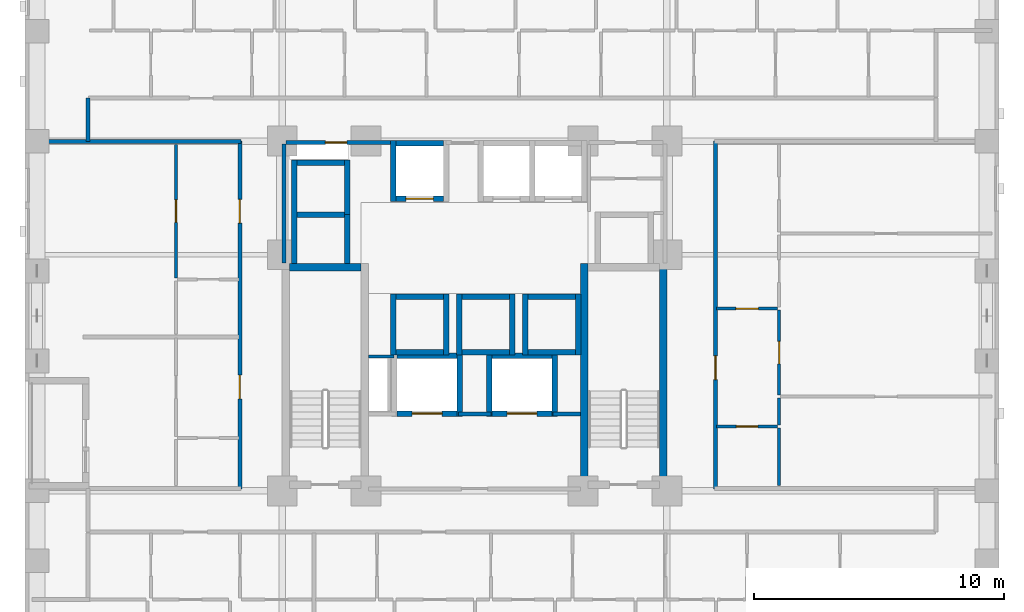
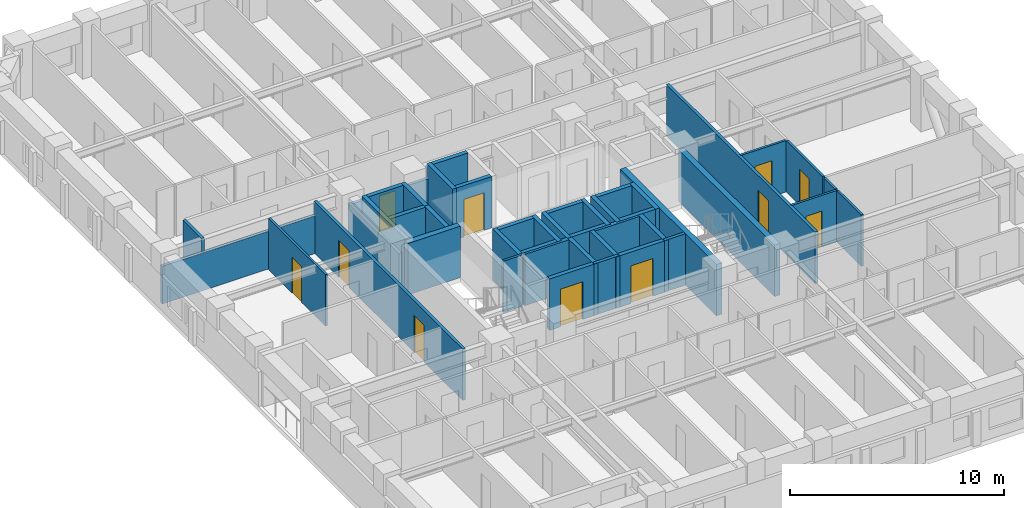
# One storey, part 5 of 14: 45 walls, 11 doors, 11 openings.
"""IFC4 building model written with IfcOpenShell, lengths in metres."""

from ifc_helpers import new_model, si_unit, derived_unit, direction, frame, frame_2d, origin, place, context, subcontext, project, spatial, rectangle, extrude, material, layer, layer_set, type_object, element, fill, save


model = new_model("IFC4")

# Units and contexts
model_context = context("Model", 3, precision=1e-05, world=origin(), true_north=direction((0.0, 1.0)))
body_context = subcontext(model_context, "Body", "Model", "MODEL_VIEW")
ifc_project = project(units=[si_unit("LENGTHUNIT", "METRE"), si_unit("AREAUNIT", "SQUARE_METRE"), si_unit("VOLUMEUNIT", "CUBIC_METRE"), si_unit("PLANEANGLEUNIT", "RADIAN"), si_unit("MASSUNIT", "GRAM", prefix="KILO"), derived_unit("THERMALTRANSMITTANCEUNIT", [(si_unit("MASSUNIT", "GRAM", prefix="KILO"), 1), (si_unit("TIMEUNIT", "SECOND"), -3), (si_unit("THERMODYNAMICTEMPERATUREUNIT", "KELVIN"), -1)])], contexts=[model_context])

# Site, building, storey
site_placement = place(None, origin())
site = spatial("IfcSite", under=ifc_project, at=site_placement, CompositionType="ELEMENT")
building_placement = place(site_placement, origin())
building = spatial("IfcBuilding", under=site, at=building_placement, Name="Korrvale Station Residences", CompositionType="ELEMENT")
storey_placement = place(building_placement, frame((0.0, 0.0, 38.60009765625)))
storey = spatial("IfcBuildingStorey", under=building, at=storey_placement, Name="L09", CompositionType="ELEMENT", Elevation=38.60009765625)

# Walls
ifc_material_1 = material(Name="Concrete C70/85", Category="concrete")
ifc_layer_1 = layer(ifc_material_1, 0.300048828125, Name="Concrete C70/85")
ifc_layer_set_1 = layer_set([ifc_layer_1], Name="Concrete C70/85")
wall_type_1 = type_object("IfcWallType", Name="WAL-CORE-300-C70", PredefinedType="SHEAR", material=ifc_layer_set_1)
wall_1_placement = place(storey_placement, frame((18.10009765625, 23.949951171875, 0.0), z_axis=(0.0, 0.0, 1.0), x_axis=(1.0, 0.0, 0.0)))
element("IfcWall", 1, at=wall_1_placement, inside=storey, type_object=wall_type_1, Name="L09 ST-1 Core Shear Wall North", PredefinedType="SHEAR", context=body_context, shape_type="SweptSolid", body=[
    extrude(rectangle(XDim=2.849853515625, YDim=0.300048828125, at=frame_2d((1.4248046875, 0.0))), origin(), (0.0, 0.0, 1.0), 2.93994140625),
])
for number, where, z_axis, x_axis, name in (
    (2, (29.89990234375, 15.10009765625, 0.0), (0.0, 0.0, 1.0), (0.0, 1.0, 0.0), "L09 ST-2 Core Shear Wall West"),
    (3, (33.050048828125, 15.10009765625, 0.0), (0.0, 0.0, 1.0), (0.0, 1.0, 0.0), "L09 ST-2 Core Shear Wall East"),
):
    element("IfcWall", number, at=place(storey_placement, frame(where, z_axis=z_axis, x_axis=x_axis)), inside=storey, type_object=wall_type_1, Name=name, PredefinedType="SHEAR", context=body_context, shape_type="SweptSolid", body=[
        extrude(rectangle(XDim=9.0, YDim=0.300048828125, at=frame_2d((4.5, 0.0))), origin(), (0.0, 0.0, 1.0), 2.93994140625),
    ])
ifc_material_2 = material(Name="Acoustic steel-stud gypsum board partition", Category="steel")
ifc_layer_2 = layer(ifc_material_2, 0.1201171875, Name="Acoustic steel-stud gypsum board partition")
ifc_layer_set_2 = layer_set([ifc_layer_2], Name="Acoustic steel-stud gypsum board partition")
wall_type_2 = type_object("IfcWallType", Name="WAL-PART-125", PredefinedType="PARTITIONING", material=ifc_layer_set_2)
wall_2_placement = place(storey_placement, frame((22.280029296875, 20.3798828125, 0.0), z_axis=(0.0, 0.0, 1.0), x_axis=(-1.0, 0.0, 0.0)))
element("IfcWall", 4, at=wall_2_placement, inside=storey, type_object=wall_type_2, Name="L09 Core Partition CW-RSWT-N", PredefinedType="PARTITIONING", context=body_context, shape_type="SweptSolid", body=[
    extrude(rectangle(XDim=1.02001953125, YDim=0.1201171875, at=frame_2d((0.510009765625, 0.0))), origin(), (0.0, 0.0, 1.0), 2.93994140625),
])

# Wall, opening, door
wall_3_placement = place(storey_placement, frame((13.550048828125, 23.527099609375, 0.0), z_axis=(0.0, 0.0, 1.0), x_axis=(0.0, 1.0, 0.0)))
wall_3 = element("IfcWall", 5, at=wall_3_placement, inside=storey, type_object=wall_type_2, Name="L09 Suite Partition U05-V12", PredefinedType="PARTITIONING", context=body_context, shape_type="SweptSolid", body=[
    extrude(rectangle(XDim=5.3330078125, YDim=0.1201171875, at=frame_2d((2.66650390625, 0.0))), origin(), (0.0, 0.0, 1.0), 2.93994140625),
])
opening_1_placement = place(wall_3_placement, frame((2.216064453125, 0.0, 0.0)))
opening_1 = element("IfcOpeningElement", 6, at=opening_1_placement, cuts=wall_3, Name="Opening DI-900", PredefinedType="OPENING", context=body_context, shape_type="SweptSolid", body=[
    extrude(rectangle(XDim=0.89990234375, YDim=2.050048828125, at=frame_2d((0.449951171875, 1.02490234375))), frame((0.0, 0.070068359375, 0.0), z_axis=(0.0, -1.0, 0.0), x_axis=(1.0, 0.0, 0.0)), (0.0, 0.0, 1.0), 0.14013671875),
])
ifc_material_3 = material(Name="Painted solid-core timber interior room door", Category="wood")
door_type_1 = type_object("IfcDoorType", Name="DR-INT-900", OperationType="NOTDEFINED", PredefinedType="DOOR", material=ifc_material_3)
door_1_placement = place(opening_1_placement, origin())
door_1 = element("IfcDoor", 7, at=door_1_placement, inside=storey, type_object=door_type_1, Name="L09 Studio Apartment L09-U05 Kitchen Door", OperationType="SINGLE_SWING_LEFT", OverallHeight=2.050048828125, OverallWidth=0.89990234375, PredefinedType="DOOR", context=body_context, shape_type="SweptSolid", body=[
    extrude(rectangle(XDim=0.89990234375, YDim=2.050048828125, at=frame_2d((0.449951171875, 1.02490234375))), frame((0.0, 0.02490234375, 0.0), z_axis=(0.0, -1.0, 0.0), x_axis=(1.0, 0.0, 0.0)), (0.0, 0.0, 1.0), 0.050048828125),
])
fill(opening_1, door_1)

wall_4_placement = place(storey_placement, frame((35.18994140625, 22.2900390625, 0.0), z_axis=(0.0, 0.0, 1.0), x_axis=(1.0, 0.0, 0.0)))
wall_4 = element("IfcWall", 8, at=wall_4_placement, inside=storey, type_object=wall_type_2, Name="L09 Suite Partition U06-H02", PredefinedType="PARTITIONING", context=body_context, shape_type="SweptSolid", body=[
    extrude(rectangle(XDim=2.449951171875, YDim=0.1201171875, at=frame_2d((1.22509765625, 0.0))), origin(), (0.0, 0.0, 1.0), 2.93994140625),
])
opening_2_placement = place(wall_4_placement, frame((0.77490234375, 0.0, 0.0)))
opening_2 = element("IfcOpeningElement", 9, at=opening_2_placement, cuts=wall_4, Name="Opening DI-900", PredefinedType="OPENING", context=body_context, shape_type="SweptSolid", body=[
    extrude(rectangle(XDim=0.89990234375, YDim=2.050048828125, at=frame_2d((0.449951171875, 1.02490234375))), frame((0.0, 0.070068359375, 0.0), z_axis=(0.0, -1.0, 0.0), x_axis=(1.0, 0.0, 0.0)), (0.0, 0.0, 1.0), 0.14013671875),
])
door_2_placement = place(opening_2_placement, origin())
door_2 = element("IfcDoor", 10, at=door_2_placement, inside=storey, type_object=door_type_1, Name="L09 Apartment 2BR L09-U06 Wardrobe Storage Room Door", OperationType="SINGLE_SWING_RIGHT", OverallHeight=2.050048828125, OverallWidth=0.89990234375, PredefinedType="DOOR", context=body_context, shape_type="SweptSolid", body=[
    extrude(rectangle(XDim=0.89990234375, YDim=2.050048828125, at=frame_2d((0.449951171875, 1.02490234375))), frame((0.0, 0.02490234375, 0.0), z_axis=(0.0, -1.0, 0.0), x_axis=(1.0, 0.0, 0.0)), (0.0, 0.0, 1.0), 0.050048828125),
])
fill(opening_2, door_2)

wall_5_placement = place(storey_placement, frame((35.18994140625, 17.570068359375, 0.0), z_axis=(0.0, 0.0, 1.0), x_axis=(1.0, 0.0, 0.0)))
wall_5 = element("IfcWall", 11, at=wall_5_placement, inside=storey, type_object=wall_type_2, Name="L09 Suite Partition U06-H12", PredefinedType="PARTITIONING", context=body_context, shape_type="SweptSolid", body=[
    extrude(rectangle(XDim=2.449951171875, YDim=0.1201171875, at=frame_2d((1.22509765625, 0.0))), origin(), (0.0, 0.0, 1.0), 2.93994140625),
])
opening_3_placement = place(wall_5_placement, frame((0.794921875, 0.0, 0.0)))
opening_3 = element("IfcOpeningElement", 12, at=opening_3_placement, cuts=wall_5, Name="Opening DB-860", PredefinedType="OPENING", context=body_context, shape_type="SweptSolid", body=[
    extrude(rectangle(XDim=0.860107421875, YDim=2.050048828125, at=frame_2d((0.43017578125, 1.02490234375))), frame((0.0, 0.070068359375, 0.0), z_axis=(0.0, -1.0, 0.0), x_axis=(1.0, 0.0, 0.0)), (0.0, 0.0, 1.0), 0.14013671875),
])
ifc_material_4 = material(Name="Moisture-resistant solid-core bathroom door", Category="timber")
door_type_2 = type_object("IfcDoorType", Name="DR-BATH-860", OperationType="NOTDEFINED", PredefinedType="DOOR", material=ifc_material_4)
door_3_placement = place(opening_3_placement, origin())
door_3 = element("IfcDoor", 13, at=door_3_placement, inside=storey, type_object=door_type_2, Name="L09 Apartment 2BR L09-U06 Bathroom Door", OperationType="SINGLE_SWING_LEFT", OverallHeight=2.050048828125, OverallWidth=0.860107421875, PredefinedType="DOOR", context=body_context, shape_type="SweptSolid", body=[
    extrude(rectangle(XDim=0.860107421875, YDim=2.050048828125, at=frame_2d((0.43017578125, 1.02490234375))), frame((0.0, 0.02490234375, 0.0), z_axis=(0.0, -1.0, 0.0), x_axis=(1.0, 0.0, 0.0)), (0.0, 0.0, 1.0), 0.050048828125),
])
fill(opening_3, door_3)

# Walls
wall_6_placement = place(storey_placement, frame((37.699951171875, 15.2099609375, 0.0), z_axis=(0.0, 0.0, 1.0), x_axis=(0.0, 1.0, 0.0)))
element("IfcWall", 14, at=wall_6_placement, inside=storey, type_object=wall_type_2, Name="L09 Suite Partition U06-V13", PredefinedType="PARTITIONING", context=body_context, shape_type="SweptSolid", body=[
    extrude(rectangle(XDim=2.300048828125, YDim=0.1201171875, at=frame_2d((1.14990234375, 0.0))), origin(), (0.0, 0.0, 1.0), 2.93994140625),
])
wall_7_placement = place(storey_placement, frame((37.699951171875, 17.6298828125, 0.0), z_axis=(0.0, 0.0, 1.0), x_axis=(0.0, 1.0, 0.0)))
element("IfcWall", 15, at=wall_7_placement, inside=storey, type_object=wall_type_2, Name="L09 Suite Partition U06-V23", PredefinedType="PARTITIONING", context=body_context, shape_type="SweptSolid", body=[
    extrude(rectangle(XDim=1.0791015625, YDim=0.1201171875, at=frame_2d((0.53955078125, 0.0))), origin(), (0.0, 0.0, 1.0), 2.93994140625),
])

# Wall, opening, door
wall_8_placement = place(storey_placement, frame((37.699951171875, 18.8291015625, 0.0), z_axis=(0.0, 0.0, 1.0), x_axis=(0.0, 1.0, 0.0)))
wall_8 = element("IfcWall", 16, at=wall_8_placement, inside=storey, type_object=wall_type_2, Name="L09 Suite Partition U06-V24", PredefinedType="PARTITIONING", context=body_context, shape_type="SweptSolid", body=[
    extrude(rectangle(XDim=3.40087890625, YDim=0.1201171875, at=frame_2d((1.700439453125, 0.0))), origin(), (0.0, 0.0, 1.0), 2.93994140625),
])
opening_4_placement = place(wall_8_placement, frame((1.25, 0.0, 0.0)))
opening_4 = element("IfcOpeningElement", 17, at=opening_4_placement, cuts=wall_8, Name="Opening DI-900", PredefinedType="OPENING", context=body_context, shape_type="SweptSolid", body=[
    extrude(rectangle(XDim=0.89990234375, YDim=2.050048828125, at=frame_2d((0.449951171875, 1.02490234375))), frame((0.0, 0.070068359375, 0.0), z_axis=(0.0, -1.0, 0.0), x_axis=(1.0, 0.0, 0.0)), (0.0, 0.0, 1.0), 0.14013671875),
])
door_4_placement = place(opening_4_placement, origin())
door_4 = element("IfcDoor", 18, at=door_4_placement, inside=storey, type_object=door_type_1, Name="L09 Apartment 2BR L09-U06 Kitchen Door", OperationType="SINGLE_SWING_RIGHT", OverallHeight=2.050048828125, OverallWidth=0.89990234375, PredefinedType="DOOR", context=body_context, shape_type="SweptSolid", body=[
    extrude(rectangle(XDim=0.89990234375, YDim=2.050048828125, at=frame_2d((0.449951171875, 1.02490234375))), frame((0.0, 0.02490234375, 0.0), z_axis=(0.0, -1.0, 0.0), x_axis=(1.0, 0.0, 0.0)), (0.0, 0.0, 1.0), 0.050048828125),
])
fill(opening_4, door_4)

# Walls
ifc_material_5 = material(Name="Fire-rated twin-stud gypsum and mineral wool shaftwall assembly", Category="gypsum")
ifc_layer_3 = layer(ifc_material_5, 0.159912109375, Name="Fire-rated twin-stud gypsum and mineral wool shaftwall assembly")
ifc_layer_set_3 = layer_set([ifc_layer_3], Name="Fire-rated twin-stud gypsum and mineral wool shaftwall assembly")
wall_type_3 = type_object("IfcWallType", Name="WAL-PART-200", PredefinedType="PARTITIONING", material=ifc_layer_set_3)
wall_9_placement = place(storey_placement, frame((24.85009765625, 18.080078125, 0.0), z_axis=(0.0, 0.0, 1.0), x_axis=(1.0, 0.0, 0.0)))
element("IfcWall", 19, at=wall_9_placement, inside=storey, type_object=wall_type_3, Name="L09 Core Partition CW-FFL-N2", PredefinedType="PARTITIONING", context=body_context, shape_type="SweptSolid", body=[
    extrude(rectangle(XDim=1.2998046875, YDim=0.159912109375, at=frame_2d((0.64990234375, 0.0))), origin(), (0.0, 0.0, 1.0), 2.93994140625),
])
wall_10_placement = place(storey_placement, frame((28.64990234375, 18.080078125, 0.0), z_axis=(0.0, 0.0, 1.0), x_axis=(1.0, 0.0, 0.0)))
element("IfcWall", 20, at=wall_10_placement, inside=storey, type_object=wall_type_3, Name="L09 Core Partition CW-FFL-N3", PredefinedType="PARTITIONING", context=body_context, shape_type="SweptSolid", body=[
    extrude(rectangle(XDim=1.10009765625, YDim=0.159912109375, at=frame_2d((0.550048828125, 0.0))), origin(), (0.0, 0.0, 1.0), 2.93994140625),
])
wall_11_placement = place(storey_placement, frame((17.8798828125, 24.1201171875, 0.0), z_axis=(0.0, 0.0, 1.0), x_axis=(0.0, 1.0, 0.0)))
element("IfcWall", 21, at=wall_11_placement, inside=storey, type_object=wall_type_3, Name="L09 Core Partition CW-W-N", PredefinedType="PARTITIONING", context=body_context, shape_type="SweptSolid", body=[
    extrude(rectangle(XDim=4.759765625, YDim=0.159912109375, at=frame_2d((2.3798828125, 0.0))), origin(), (0.0, 0.0, 1.0), 2.27490234375),
])

# Wall, opening, door
wall_12_placement = place(storey_placement, frame((17.9599609375, 28.949951171875, 0.0), z_axis=(0.0, 0.0, 1.0), x_axis=(1.0, 0.0, 0.0)))
wall_12 = element("IfcWall", 22, at=wall_12_placement, inside=storey, type_object=wall_type_3, Name="L09 Core Partition CW-NW", PredefinedType="PARTITIONING", context=body_context, shape_type="SweptSolid", body=[
    extrude(rectangle(XDim=4.2900390625, YDim=0.159912109375, at=frame_2d((2.14501953125, 0.0))), origin(), (0.0, 0.0, 1.0), 2.15478515625),
])
opening_5_placement = place(wall_12_placement, frame((1.570068359375, 0.0, 0.0)))
opening_5 = element("IfcOpeningElement", 23, at=opening_5_placement, cuts=wall_12, Name="Opening DB-860", PredefinedType="OPENING", context=body_context, shape_type="SweptSolid", body=[
    extrude(rectangle(XDim=0.860107421875, YDim=2.050048828125, at=frame_2d((0.43017578125, 1.02490234375))), frame((0.0, 0.08984375, 0.0), z_axis=(0.0, -1.0, 0.0), x_axis=(1.0, 0.0, 0.0)), (0.0, 0.0, 1.0), 0.179931640625),
])
door_5_placement = place(opening_5_placement, origin())
door_5 = element("IfcDoor", 24, at=door_5_placement, inside=storey, type_object=door_type_2, Name="L09 Electrical Riser Access Door", OperationType="SINGLE_SWING_LEFT", OverallHeight=2.050048828125, OverallWidth=0.860107421875, PredefinedType="DOOR", context=body_context, shape_type="SweptSolid", body=[
    extrude(rectangle(XDim=0.860107421875, YDim=2.050048828125, at=frame_2d((0.43017578125, 1.02490234375))), frame((0.0, 0.02490234375, 0.0), z_axis=(0.0, -1.0, 0.0), x_axis=(1.0, 0.0, 0.0)), (0.0, 0.0, 1.0), 0.050048828125),
])
fill(opening_5, door_5)

# Walls
wall_13_placement = place(storey_placement, frame((10.02001953125, 28.97998046875, 0.0), z_axis=(0.0, 0.0, 1.0), x_axis=(0.0, 1.0, 0.0)))
element("IfcWall", 25, at=wall_13_placement, inside=storey, type_object=wall_type_3, Name="L09 Corridor North West Cap", PredefinedType="PARTITIONING", context=body_context, shape_type="SweptSolid", body=[
    extrude(rectangle(XDim=1.739990234375, YDim=0.159912109375, at=frame_2d((0.8701171875, 0.0))), origin(), (0.0, 0.0, 1.0), 2.93994140625),
])
wall_14_placement = place(storey_placement, frame((7.780029296875, 28.97998046875, 0.0), z_axis=(0.0, 0.0, 1.0), x_axis=(1.0, 0.0, 0.0)))
element("IfcWall", 26, at=wall_14_placement, inside=storey, type_object=wall_type_3, Name="L09 West Wing North Corridor Wall", PredefinedType="PARTITIONING", context=body_context, shape_type="SweptSolid", body=[
    extrude(rectangle(XDim=8.35986328125, YDim=0.159912109375, at=frame_2d((4.179931640625, 0.0))), origin(), (0.0, 0.0, 1.0), 2.15478515625),
])

# Wall, openings, doors
wall_15_placement = place(storey_placement, frame((16.10009765625, 15.070068359375, 0.0), z_axis=(0.0, 0.0, 1.0), x_axis=(0.0, 1.0, 0.0)))
wall_15 = element("IfcWall", 27, at=wall_15_placement, inside=storey, type_object=wall_type_3, Name="L09 Rated Corridor Wall W", PredefinedType="PARTITIONING", context=body_context, shape_type="SweptSolid", body=[
    extrude(rectangle(XDim=13.929931640625, YDim=0.159912109375, at=frame_2d((6.96484375, 0.0))), origin(), (0.0, 0.0, 1.0), 2.93994140625),
])
opening_6_placement = place(wall_15_placement, frame((3.60791015625, 0.0, 0.0)))
opening_6 = element("IfcOpeningElement", 28, at=opening_6_placement, cuts=wall_15, Name="Opening UD-950", PredefinedType="OPENING", context=body_context, shape_type="SweptSolid", body=[
    extrude(rectangle(XDim=0.949951171875, YDim=2.10009765625, at=frame_2d((0.47509765625, 1.050048828125))), frame((0.0, 0.08984375, 0.0), z_axis=(0.0, -1.0, 0.0), x_axis=(1.0, 0.0, 0.0)), (0.0, 0.0, 1.0), 0.179931640625),
])
opening_7_placement = place(wall_15_placement, frame((10.64892578125, 0.0, 0.0)))
opening_7 = element("IfcOpeningElement", 29, at=opening_7_placement, cuts=wall_15, Name="Opening UD-950", PredefinedType="OPENING", context=body_context, shape_type="SweptSolid", body=[
    extrude(rectangle(XDim=0.949951171875, YDim=2.10009765625, at=frame_2d((0.47509765625, 1.050048828125))), frame((0.0, 0.08984375, 0.0), z_axis=(0.0, -1.0, 0.0), x_axis=(1.0, 0.0, 0.0)), (0.0, 0.0, 1.0), 0.179931640625),
])
ifc_material_6 = material(Name="Solid-core acoustic oak apartment entrance door", Category="timber")
door_type_3 = type_object("IfcDoorType", Name="DR-UNIT-950", OperationType="NOTDEFINED", PredefinedType="DOOR", material=ifc_material_6)
door_6_placement = place(opening_6_placement, origin())
door_6 = element("IfcDoor", 30, at=door_6_placement, inside=storey, type_object=door_type_3, Name="L09 Apartment L09-U04 Entrance Door", OperationType="SINGLE_SWING_RIGHT", OverallHeight=2.10009765625, OverallWidth=0.949951171875, PredefinedType="DOOR", context=body_context, shape_type="SweptSolid", body=[
    extrude(rectangle(XDim=0.949951171875, YDim=2.10009765625, at=frame_2d((0.47509765625, 1.050048828125))), frame((0.0, 0.02490234375, 0.0), z_axis=(0.0, -1.0, 0.0), x_axis=(1.0, 0.0, 0.0)), (0.0, 0.0, 1.0), 0.050048828125),
])
fill(opening_6, door_6)
door_7_placement = place(opening_7_placement, origin())
door_7 = element("IfcDoor", 31, at=door_7_placement, inside=storey, type_object=door_type_3, Name="L09 Apartment L09-U05 Entrance Door", OperationType="SINGLE_SWING_LEFT", OverallHeight=2.10009765625, OverallWidth=0.949951171875, PredefinedType="DOOR", context=body_context, shape_type="SweptSolid", body=[
    extrude(rectangle(XDim=0.949951171875, YDim=2.10009765625, at=frame_2d((0.47509765625, 1.050048828125))), frame((0.0, 0.02490234375, 0.0), z_axis=(0.0, -1.0, 0.0), x_axis=(1.0, 0.0, 0.0)), (0.0, 0.0, 1.0), 0.050048828125),
])
fill(opening_7, door_7)

# Wall, opening, door
wall_16_placement = place(storey_placement, frame((35.14990234375, 15.070068359375, 0.0), z_axis=(0.0, 0.0, 1.0), x_axis=(0.0, 1.0, 0.0)))
wall_16 = element("IfcWall", 32, at=wall_16_placement, inside=storey, type_object=wall_type_3, Name="L09 Rated Corridor Wall E", PredefinedType="PARTITIONING", context=body_context, shape_type="SweptSolid", body=[
    extrude(rectangle(XDim=13.929931640625, YDim=0.159912109375, at=frame_2d((6.96484375, 0.0))), origin(), (0.0, 0.0, 1.0), 2.93994140625),
])
opening_8_placement = place(wall_16_placement, frame((4.385009765625, 0.0, 0.0)))
opening_8 = element("IfcOpeningElement", 33, at=opening_8_placement, cuts=wall_16, Name="Opening UD-950", PredefinedType="OPENING", context=body_context, shape_type="SweptSolid", body=[
    extrude(rectangle(XDim=0.949951171875, YDim=2.10009765625, at=frame_2d((0.47509765625, 1.050048828125))), frame((0.0, 0.08984375, 0.0), z_axis=(0.0, -1.0, 0.0), x_axis=(1.0, 0.0, 0.0)), (0.0, 0.0, 1.0), 0.179931640625),
])
door_8_placement = place(opening_8_placement, origin())
door_8 = element("IfcDoor", 34, at=door_8_placement, inside=storey, type_object=door_type_3, Name="L09 Apartment L09-U06 Entrance Door", OperationType="SINGLE_SWING_RIGHT", OverallHeight=2.10009765625, OverallWidth=0.949951171875, PredefinedType="DOOR", context=body_context, shape_type="SweptSolid", body=[
    extrude(rectangle(XDim=0.949951171875, YDim=2.10009765625, at=frame_2d((0.47509765625, 1.050048828125))), frame((0.0, 0.02490234375, 0.0), z_axis=(0.0, -1.0, 0.0), x_axis=(1.0, 0.0, 0.0)), (0.0, 0.0, 1.0), 0.050048828125),
])
fill(opening_8, door_8)

ifc_layer_4 = layer(ifc_material_1, 0.219970703125, Name="Concrete C70/85")
ifc_layer_set_4 = layer_set([ifc_layer_4], Name="Concrete C70/85")
wall_type_4 = type_object("IfcWallType", Name="WAL-SHAFT-220-C70", PredefinedType="SHEAR", material=ifc_layer_set_4)
wall_17_placement = place(storey_placement, frame((22.35009765625, 26.68994140625, 0.0), z_axis=(0.0, 0.0, 1.0), x_axis=(1.0, 0.0, 0.0)))
wall_17 = element("IfcWall", 35, at=wall_17_placement, inside=storey, type_object=wall_type_4, Name="L09 Elevator PL-1 Hoistway Wall South", PredefinedType="SHEAR", context=body_context, shape_type="SweptSolid", body=[
    extrude(rectangle(XDim=1.89990234375, YDim=0.219970703125, at=frame_2d((0.949951171875, 0.0))), origin(), (0.0, 0.0, 1.0), 2.93994140625),
])
opening_9_placement = place(wall_17_placement, frame((0.39990234375, 0.0, 0.0)))
opening_9 = element("IfcOpeningElement", 36, at=opening_9_placement, cuts=wall_17, Name="Opening LD-1100", PredefinedType="OPENING", context=body_context, shape_type="SweptSolid", body=[
    extrude(rectangle(XDim=1.10009765625, YDim=2.14990234375, at=frame_2d((0.550048828125, 1.074951171875))), frame((0.0, 0.1201171875, 0.0), z_axis=(0.0, -1.0, 0.0), x_axis=(1.0, 0.0, 0.0)), (0.0, 0.0, 1.0), 0.239990234375),
])
ifc_material_7 = material(Name="Brushed stainless-steel elevator landing sliding door", Category="steel")
door_type_4 = type_object("IfcDoorType", Name="DR-LIFT-1100", OperationType="SLIDING_TO_LEFT", PredefinedType="DOOR", material=ifc_material_7)
door_9_placement = place(opening_9_placement, origin())
door_9 = element("IfcDoor", 37, at=door_9_placement, inside=storey, type_object=door_type_4, Name="L09 Elevator PL-1 Sliding Landing Door", OperationType="SLIDING_TO_LEFT", OverallHeight=2.14990234375, OverallWidth=1.10009765625, PredefinedType="DOOR", context=body_context, shape_type="SweptSolid", body=[
    extrude(rectangle(XDim=1.10009765625, YDim=2.14990234375, at=frame_2d((0.550048828125, 1.074951171875))), frame((0.0, 0.02490234375, 0.0), z_axis=(0.0, -1.0, 0.0), x_axis=(1.0, 0.0, 0.0)), (0.0, 0.0, 1.0), 0.050048828125),
])
fill(opening_9, door_9)

# Walls
wall_18_placement = place(storey_placement, frame((22.35009765625, 28.909912109375, 0.0), z_axis=(0.0, 0.0, 1.0), x_axis=(1.0, 0.0, 0.0)))
element("IfcWall", 38, at=wall_18_placement, inside=storey, type_object=wall_type_4, Name="L09 Elevator PL-1 Hoistway Wall North", PredefinedType="SHEAR", context=body_context, shape_type="SweptSolid", body=[
    extrude(rectangle(XDim=1.89990234375, YDim=0.219970703125, at=frame_2d((0.949951171875, 0.0))), origin(), (0.0, 0.0, 1.0), 2.93994140625),
])
wall_19_placement = place(storey_placement, frame((22.239990234375, 26.580078125, 0.0), z_axis=(0.0, 0.0, 1.0), x_axis=(0.0, 1.0, 0.0)))
element("IfcWall", 39, at=wall_19_placement, inside=storey, type_object=wall_type_4, Name="L09 Elevator PL-1 Hoistway Wall West", PredefinedType="SHEAR", context=body_context, shape_type="SweptSolid", body=[
    extrude(rectangle(XDim=2.43994140625, YDim=0.219970703125, at=frame_2d((1.219970703125, 0.0))), origin(), (0.0, 0.0, 1.0), 2.93994140625),
])
for number, where, z_axis, x_axis, name in (
    (40, (22.35009765625, 20.5400390625, 0.0), (0.0, 0.0, 1.0), (1.0, 0.0, 0.0), "L09 Elevator PM-1 Hoistway Wall South"),
    (41, (22.35009765625, 22.760009765625, 0.0), (0.0, 0.0, 1.0), (1.0, 0.0, 0.0), "L09 Elevator PM-1 Hoistway Wall North"),
):
    element("IfcWall", number, at=place(storey_placement, frame(where, z_axis=z_axis, x_axis=x_axis)), inside=storey, type_object=wall_type_4, Name=name, PredefinedType="SHEAR", context=body_context, shape_type="SweptSolid", body=[
        extrude(rectangle(XDim=1.89990234375, YDim=0.219970703125, at=frame_2d((0.949951171875, 0.0))), origin(), (0.0, 0.0, 1.0), 2.93994140625),
    ])
for number, where, z_axis, x_axis, name in (
    (42, (22.239990234375, 20.429931640625, 0.0), (0.0, 0.0, 1.0), (0.0, 1.0, 0.0), "L09 Elevator PM-1 Hoistway Wall West"),
    (43, (24.360107421875, 20.429931640625, 0.0), (0.0, 0.0, 1.0), (0.0, 1.0, 0.0), "L09 Elevator PM-1 Hoistway Wall East"),
):
    element("IfcWall", number, at=place(storey_placement, frame(where, z_axis=z_axis, x_axis=x_axis)), inside=storey, type_object=wall_type_4, Name=name, PredefinedType="SHEAR", context=body_context, shape_type="SweptSolid", body=[
        extrude(rectangle(XDim=2.440185546875, YDim=0.219970703125, at=frame_2d((1.22021484375, 0.0))), origin(), (0.0, 0.0, 1.0), 2.93994140625),
    ])
for number, where, z_axis, x_axis, name in (
    (44, (25.0, 20.5400390625, 0.0), (0.0, 0.0, 1.0), (1.0, 0.0, 0.0), "L09 Elevator PM-2 Hoistway Wall South"),
    (45, (25.0, 22.760009765625, 0.0), (0.0, 0.0, 1.0), (1.0, 0.0, 0.0), "L09 Elevator PM-2 Hoistway Wall North"),
):
    element("IfcWall", number, at=place(storey_placement, frame(where, z_axis=z_axis, x_axis=x_axis)), inside=storey, type_object=wall_type_4, Name=name, PredefinedType="SHEAR", context=body_context, shape_type="SweptSolid", body=[
        extrude(rectangle(XDim=1.89990234375, YDim=0.219970703125, at=frame_2d((0.949951171875, 0.0))), origin(), (0.0, 0.0, 1.0), 2.93994140625),
    ])
for number, where, z_axis, x_axis, name in (
    (46, (24.889892578125, 20.429931640625, 0.0), (0.0, 0.0, 1.0), (0.0, 1.0, 0.0), "L09 Elevator PM-2 Hoistway Wall West"),
    (47, (27.010009765625, 20.429931640625, 0.0), (0.0, 0.0, 1.0), (0.0, 1.0, 0.0), "L09 Elevator PM-2 Hoistway Wall East"),
):
    element("IfcWall", number, at=place(storey_placement, frame(where, z_axis=z_axis, x_axis=x_axis)), inside=storey, type_object=wall_type_4, Name=name, PredefinedType="SHEAR", context=body_context, shape_type="SweptSolid", body=[
        extrude(rectangle(XDim=2.440185546875, YDim=0.219970703125, at=frame_2d((1.22021484375, 0.0))), origin(), (0.0, 0.0, 1.0), 2.93994140625),
    ])
for number, where, z_axis, x_axis, name in (
    (48, (27.64990234375, 20.5400390625, 0.0), (0.0, 0.0, 1.0), (1.0, 0.0, 0.0), "L09 Elevator PM-3 Hoistway Wall South"),
    (49, (27.64990234375, 22.760009765625, 0.0), (0.0, 0.0, 1.0), (1.0, 0.0, 0.0), "L09 Elevator PM-3 Hoistway Wall North"),
):
    element("IfcWall", number, at=place(storey_placement, frame(where, z_axis=z_axis, x_axis=x_axis)), inside=storey, type_object=wall_type_4, Name=name, PredefinedType="SHEAR", context=body_context, shape_type="SweptSolid", body=[
        extrude(rectangle(XDim=1.900146484375, YDim=0.219970703125, at=frame_2d((0.9501953125, 0.0))), origin(), (0.0, 0.0, 1.0), 2.93994140625),
    ])
for number, where, z_axis, x_axis, name in (
    (50, (27.5400390625, 20.429931640625, 0.0), (0.0, 0.0, 1.0), (0.0, 1.0, 0.0), "L09 Elevator PM-3 Hoistway Wall West"),
    (51, (29.659912109375, 20.429931640625, 0.0), (0.0, 0.0, 1.0), (0.0, 1.0, 0.0), "L09 Elevator PM-3 Hoistway Wall East"),
):
    element("IfcWall", number, at=place(storey_placement, frame(where, z_axis=z_axis, x_axis=x_axis)), inside=storey, type_object=wall_type_4, Name=name, PredefinedType="SHEAR", context=body_context, shape_type="SweptSolid", body=[
        extrude(rectangle(XDim=2.440185546875, YDim=0.219970703125, at=frame_2d((1.22021484375, 0.0))), origin(), (0.0, 0.0, 1.0), 2.93994140625),
    ])
wall_20_placement = place(storey_placement, frame((18.2900390625, 24.10009765625, 0.0), z_axis=(0.0, 0.0, 1.0), x_axis=(0.0, 1.0, 0.0)))
element("IfcWall", 52, at=wall_20_placement, inside=storey, type_object=wall_type_4, Name="L09 Elevator PH-1 Hoistway Wall West", PredefinedType="SHEAR", context=body_context, shape_type="SweptSolid", body=[
    extrude(rectangle(XDim=4.139892578125, YDim=0.219970703125, at=frame_2d((2.06982421875, 0.0))), origin(), (0.0, 0.0, 1.0), 2.93994140625),
])
wall_21_placement = place(storey_placement, frame((20.409912109375, 24.10009765625, 0.0), z_axis=(0.0, 0.0, 1.0), x_axis=(0.0, 1.0, 0.0)))
element("IfcWall", 53, at=wall_21_placement, inside=storey, type_object=wall_type_4, Name="L09 Elevator PH-1 Hoistway Wall East", PredefinedType="SHEAR", context=body_context, shape_type="SweptSolid", body=[
    extrude(rectangle(XDim=1.9599609375, YDim=0.219970703125, at=frame_2d((0.97998046875, 0.0))), origin(), (0.0, 0.0, 1.0), 2.93994140625),
])
for number, where, z_axis, x_axis, name in (
    (54, (18.39990234375, 26.06005859375, 0.0), (0.0, 0.0, 1.0), (1.0, 0.0, 0.0), "L09 Elevator PH-2 Hoistway Wall South"),
    (55, (18.39990234375, 28.1298828125, 0.0), (0.0, 0.0, 1.0), (1.0, 0.0, 0.0), "L09 Elevator PH-2 Hoistway Wall North"),
):
    element("IfcWall", number, at=place(storey_placement, frame(where, z_axis=z_axis, x_axis=x_axis)), inside=storey, type_object=wall_type_4, Name=name, PredefinedType="SHEAR", context=body_context, shape_type="SweptSolid", body=[
        extrude(rectangle(XDim=1.900146484375, YDim=0.219970703125, at=frame_2d((0.9501953125, 0.0))), origin(), (0.0, 0.0, 1.0), 2.93994140625),
    ])
wall_22_placement = place(storey_placement, frame((20.409912109375, 26.06005859375, 0.0), z_axis=(0.0, 0.0, 1.0), x_axis=(0.0, 1.0, 0.0)))
element("IfcWall", 56, at=wall_22_placement, inside=storey, type_object=wall_type_4, Name="L09 Elevator PH-2 Hoistway Wall East", PredefinedType="SHEAR", context=body_context, shape_type="SweptSolid", body=[
    extrude(rectangle(XDim=2.179931640625, YDim=0.219970703125, at=frame_2d((1.08984375, 0.0))), origin(), (0.0, 0.0, 1.0), 2.93994140625),
])

# Wall, opening, door
wall_23_placement = place(storey_placement, frame((22.39990234375, 18.090087890625, 0.0), z_axis=(0.0, 0.0, 1.0), x_axis=(1.0, 0.0, 0.0)))
wall_23 = element("IfcWall", 57, at=wall_23_placement, inside=storey, type_object=wall_type_4, Name="L09 Elevator FFL-1 Hoistway Wall South", PredefinedType="SHEAR", context=body_context, shape_type="SweptSolid", body=[
    extrude(rectangle(XDim=2.400146484375, YDim=0.219970703125, at=frame_2d((1.2001953125, 0.0))), origin(), (0.0, 0.0, 1.0), 2.93994140625),
])
opening_10_placement = place(wall_23_placement, frame((0.60009765625, 0.0, 0.0)))
opening_10 = element("IfcOpeningElement", 58, at=opening_10_placement, cuts=wall_23, Name="Opening LD-FF1200", PredefinedType="OPENING", context=body_context, shape_type="SweptSolid", body=[
    extrude(rectangle(XDim=1.199951171875, YDim=2.14990234375, at=frame_2d((0.60009765625, 1.074951171875))), frame((0.0, 0.1201171875, 0.0), z_axis=(0.0, -1.0, 0.0), x_axis=(1.0, 0.0, 0.0)), (0.0, 0.0, 1.0), 0.239990234375),
])
ifc_material_8 = material(Name="Stainless-steel firefighter elevator landing sliding door", Category="steel")
door_type_5 = type_object("IfcDoorType", Name="DR-LIFT-FF1200", OperationType="SLIDING_TO_LEFT", PredefinedType="DOOR", material=ifc_material_8)
door_10_placement = place(opening_10_placement, origin())
door_10 = element("IfcDoor", 59, at=door_10_placement, inside=storey, type_object=door_type_5, Name="L09 Elevator FFL-1 Sliding Landing Door", OperationType="SLIDING_TO_LEFT", OverallHeight=2.14990234375, OverallWidth=1.199951171875, PredefinedType="DOOR", context=body_context, shape_type="SweptSolid", body=[
    extrude(rectangle(XDim=1.199951171875, YDim=2.14990234375, at=frame_2d((0.60009765625, 1.074951171875))), frame((0.0, 0.02490234375, 0.0), z_axis=(0.0, -1.0, 0.0), x_axis=(1.0, 0.0, 0.0)), (0.0, 0.0, 1.0), 0.050048828125),
])
fill(opening_10, door_10)

# Walls
wall_24_placement = place(storey_placement, frame((22.39990234375, 20.409912109375, 0.0), z_axis=(0.0, 0.0, 1.0), x_axis=(1.0, 0.0, 0.0)))
element("IfcWall", 60, at=wall_24_placement, inside=storey, type_object=wall_type_4, Name="L09 Elevator FFL-1 Hoistway Wall North", PredefinedType="SHEAR", context=body_context, shape_type="SweptSolid", body=[
    extrude(rectangle(XDim=2.400146484375, YDim=0.219970703125, at=frame_2d((1.2001953125, 0.0))), origin(), (0.0, 0.0, 1.0), 2.93994140625),
])
wall_25_placement = place(storey_placement, frame((24.909912109375, 17.97998046875, 0.0), z_axis=(0.0, 0.0, 1.0), x_axis=(0.0, 1.0, 0.0)))
element("IfcWall", 61, at=wall_25_placement, inside=storey, type_object=wall_type_4, Name="L09 Elevator FFL-1 Hoistway Wall East", PredefinedType="SHEAR", context=body_context, shape_type="SweptSolid", body=[
    extrude(rectangle(XDim=2.5400390625, YDim=0.219970703125, at=frame_2d((1.27001953125, 0.0))), origin(), (0.0, 0.0, 1.0), 2.93994140625),
])

# Wall, opening, door
wall_26_placement = place(storey_placement, frame((26.199951171875, 18.090087890625, 0.0), z_axis=(0.0, 0.0, 1.0), x_axis=(1.0, 0.0, 0.0)))
wall_26 = element("IfcWall", 62, at=wall_26_placement, inside=storey, type_object=wall_type_4, Name="L09 Elevator FFL-2 Hoistway Wall South", PredefinedType="SHEAR", context=body_context, shape_type="SweptSolid", body=[
    extrude(rectangle(XDim=2.400146484375, YDim=0.219970703125, at=frame_2d((1.2001953125, 0.0))), origin(), (0.0, 0.0, 1.0), 2.93994140625),
])
opening_11_placement = place(wall_26_placement, frame((0.60009765625, 0.0, 0.0)))
opening_11 = element("IfcOpeningElement", 63, at=opening_11_placement, cuts=wall_26, Name="Opening LD-FF1200", PredefinedType="OPENING", context=body_context, shape_type="SweptSolid", body=[
    extrude(rectangle(XDim=1.199951171875, YDim=2.14990234375, at=frame_2d((0.60009765625, 1.074951171875))), frame((0.0, 0.1201171875, 0.0), z_axis=(0.0, -1.0, 0.0), x_axis=(1.0, 0.0, 0.0)), (0.0, 0.0, 1.0), 0.239990234375),
])
door_11_placement = place(opening_11_placement, origin())
door_11 = element("IfcDoor", 64, at=door_11_placement, inside=storey, type_object=door_type_5, Name="L09 Elevator FFL-2 Sliding Landing Door", OperationType="SLIDING_TO_LEFT", OverallHeight=2.14990234375, OverallWidth=1.199951171875, PredefinedType="DOOR", context=body_context, shape_type="SweptSolid", body=[
    extrude(rectangle(XDim=1.199951171875, YDim=2.14990234375, at=frame_2d((0.60009765625, 1.074951171875))), frame((0.0, 0.02490234375, 0.0), z_axis=(0.0, -1.0, 0.0), x_axis=(1.0, 0.0, 0.0)), (0.0, 0.0, 1.0), 0.050048828125),
])
fill(opening_11, door_11)

# Walls
wall_27_placement = place(storey_placement, frame((26.199951171875, 20.409912109375, 0.0), z_axis=(0.0, 0.0, 1.0), x_axis=(1.0, 0.0, 0.0)))
element("IfcWall", 65, at=wall_27_placement, inside=storey, type_object=wall_type_4, Name="L09 Elevator FFL-2 Hoistway Wall North", PredefinedType="SHEAR", context=body_context, shape_type="SweptSolid", body=[
    extrude(rectangle(XDim=2.400146484375, YDim=0.219970703125, at=frame_2d((1.2001953125, 0.0))), origin(), (0.0, 0.0, 1.0), 2.93994140625),
])
for number, where, z_axis, x_axis, name in (
    (66, (26.090087890625, 17.97998046875, 0.0), (0.0, 0.0, 1.0), (0.0, 1.0, 0.0), "L09 Elevator FFL-2 Hoistway Wall West"),
    (67, (28.7099609375, 17.97998046875, 0.0), (0.0, 0.0, 1.0), (0.0, 1.0, 0.0), "L09 Elevator FFL-2 Hoistway Wall East"),
):
    element("IfcWall", number, at=place(storey_placement, frame(where, z_axis=z_axis, x_axis=x_axis)), inside=storey, type_object=wall_type_4, Name=name, PredefinedType="SHEAR", context=body_context, shape_type="SweptSolid", body=[
        extrude(rectangle(XDim=2.5400390625, YDim=0.219970703125, at=frame_2d((1.27001953125, 0.0))), origin(), (0.0, 0.0, 1.0), 2.93994140625),
    ])

save(model, "model.ifc")
